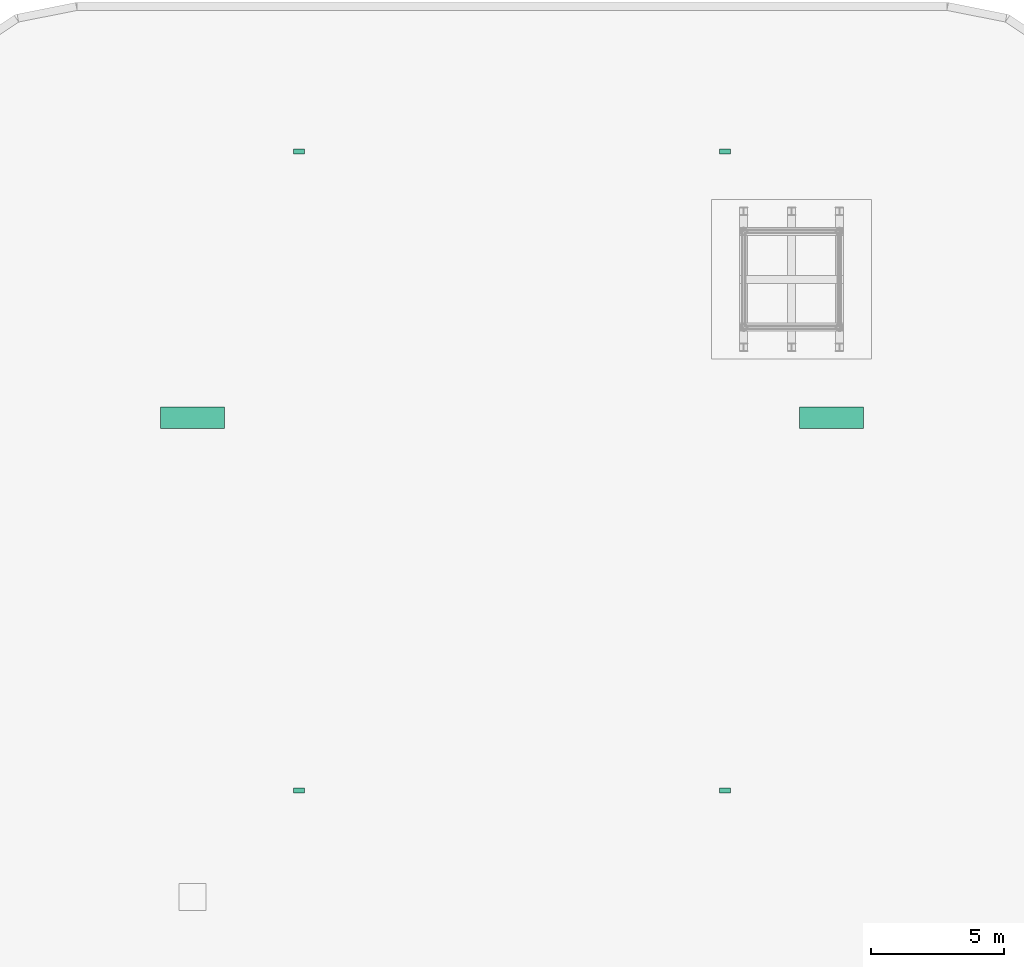
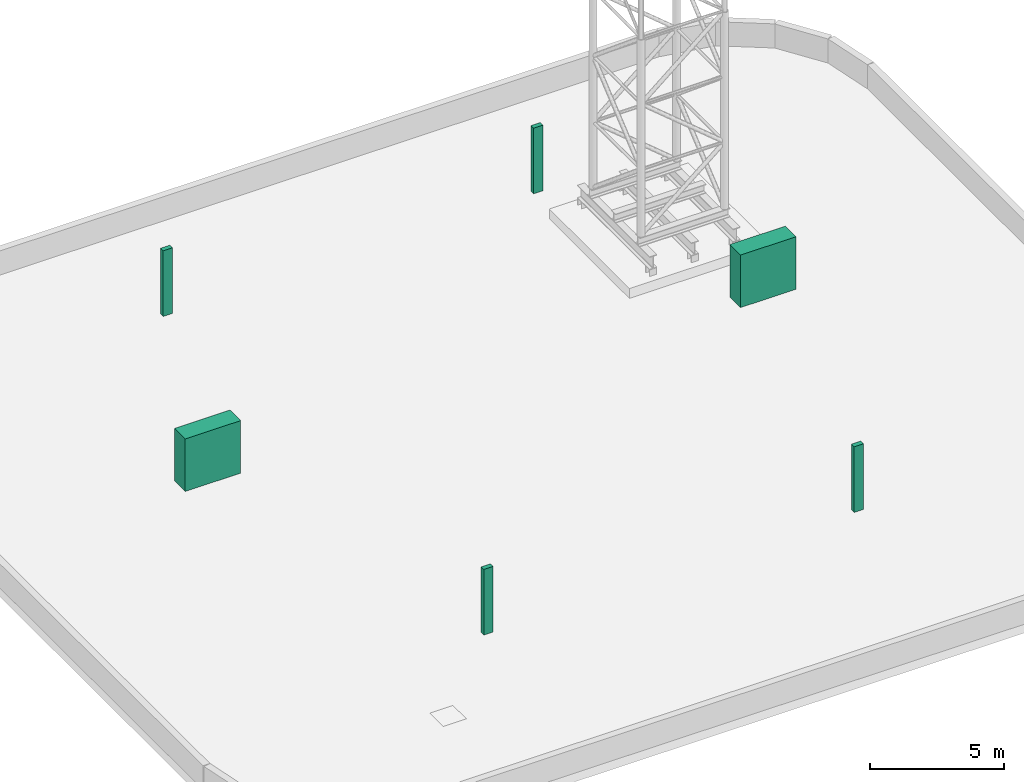
# One storey, part 3 of 3: 6 communications appliances.
"""IFC4 building model written with IfcOpenShell, lengths in metres."""

import ifcopenshell
import ifcopenshell.guid

model = None  # the IFC model being written
_history = None  # IfcOwnerHistory: only IFC2X3 demands one
_inside = {}  # id of a spatial element -> (the spatial element, [elements in it])
_under = {}  # id of a project, library or spatial element -> (it, [spatial elements below it])
_declared = {}  # id of a project -> (the project, [libraries it declares])
_typed = {}  # id of a type object -> (the type object, [elements of that type])
_made_of = {}  # id of a material, layer set ... -> (it, [elements and type objects made of it])


def new_model(schema):
    """Start an empty IFC model of exactly this schema.

    Asked for "IFC4X3", IfcOpenShell would pick the latest addendum, in which some entities
    have other attributes; the version numbers below select the first issue.
    IFC2X3 requires an IfcOwnerHistory on every rooted entity: one is made here for all.
    """
    global model, _history
    if schema == "IFC4X3":
        model = ifcopenshell.file(schema_version=(4, 3, 0, 0))
    else:
        model = ifcopenshell.file(schema=schema)
    _inside.clear()
    _under.clear()
    _declared.clear()
    _typed.clear()
    _made_of.clear()
    _history = None
    if model.schema == "IFC2X3":
        org = make("IfcOrganization", Name="unknown")
        user = make(
            "IfcPersonAndOrganization",
            ThePerson=make("IfcPerson", FamilyName="unknown"),
            TheOrganization=org,
        )
        app = make(
            "IfcApplication",
            ApplicationDeveloper=org,
            Version="unknown",
            ApplicationFullName="unknown",
            ApplicationIdentifier="unknown",
        )
        _history = make(
            "IfcOwnerHistory",
            OwningUser=user,
            OwningApplication=app,
            ChangeAction="ADDED",
            CreationDate=0,
        )
    return model


def make(cls, **values):
    """One entity of the class cls with the attributes given. An attribute that is None is left unset."""
    return model.create_entity(
        cls, **{name: value for name, value in values.items() if value is not None}
    )


def rooted(cls, **values):
    """An entity with a GlobalId (a new one), such as an element, a storey or a relation."""
    return make(cls, GlobalId=ifcopenshell.guid.new(), OwnerHistory=_history, **values)


def si_unit(unit_type, name, prefix=None):
    """IfcSIUnit, for example si_unit("LENGTHUNIT", "METRE", prefix="MILLI")."""
    return make("IfcSIUnit", UnitType=unit_type, Prefix=prefix, Name=name)


def assignment(units):
    """IfcUnitAssignment: the units of a project."""
    return None if units is None else make("IfcUnitAssignment", Units=units)


def point(xyz):
    """IfcCartesianPoint."""
    return None if xyz is None else make("IfcCartesianPoint", Coordinates=xyz)


def direction(xyz):
    """IfcDirection."""
    return None if xyz is None else make("IfcDirection", DirectionRatios=xyz)


def frame(location, z_axis=None, x_axis=None):
    """IfcAxis2Placement3D, a coordinate frame: its origin and axes. An axis left out is left unset."""
    return make(
        "IfcAxis2Placement3D",
        Location=point(location),
        Axis=direction(z_axis),
        RefDirection=direction(x_axis),
    )


def frame_2d(location, x_axis=None):
    """IfcAxis2Placement2D, a coordinate frame in the plane: its origin and x axis."""
    return make(
        "IfcAxis2Placement2D", Location=point(location), RefDirection=direction(x_axis)
    )


def origin():
    """The frame at (0, 0, 0) with its axes left unset."""
    return frame((0.0, 0.0, 0.0))


def origin_2d():
    """The frame at (0, 0) in the plane with its x axis left unset."""
    return frame_2d((0.0, 0.0))


def place(relative_to, where):
    """IfcLocalPlacement: puts the frame where relative to a parent placement (None: the world)."""
    return make(
        "IfcLocalPlacement", PlacementRelTo=relative_to, RelativePlacement=where
    )


def context(
    kind, dimensions, precision=None, world=None, true_north=None, identifier=None
):
    """IfcGeometricRepresentationContext, for example the 3D "Model" context."""
    return make(
        "IfcGeometricRepresentationContext",
        ContextIdentifier=identifier,
        ContextType=kind,
        CoordinateSpaceDimension=dimensions,
        Precision=precision,
        WorldCoordinateSystem=world,
        TrueNorth=true_north,
    )


def subcontext(parent, identifier, kind, view, scale=None):
    """IfcGeometricRepresentationSubContext, for example "Body" below "Model"."""
    return make(
        "IfcGeometricRepresentationSubContext",
        ContextIdentifier=identifier,
        ContextType=kind,
        ParentContext=parent,
        TargetScale=scale,
        TargetView=view,
    )


def project(units=None, contexts=None):
    """IfcProject with its units and contexts."""
    return rooted(
        "IfcProject",
        Name="project",
        RepresentationContexts=contexts,
        UnitsInContext=assignment(units),
    )


def spatial(cls, under=None, at=None, **own):
    """A site, building, storey or space (cls), placed at a placement, below another one or the project."""
    s = rooted(cls, ObjectPlacement=at, **own)
    if under is not None:
        _under.setdefault(under.id(), (under, []))[1].append(s)
    return s


def profile(cls, at=None, kind="AREA", **sizes):
    """A parametric profile (cls). Its sizes go by their IFC names, for example OverallWidth=200.0."""
    return make(cls, ProfileType=kind, Position=at, **sizes)


def rectangle(**sizes):
    """IfcRectangleProfileDef."""
    return profile("IfcRectangleProfileDef", **sizes)


def extrude(swept, where, along, depth):
    """IfcExtrudedAreaSolid: the profile swept, set in the frame where, extruded along a direction by depth."""
    return make(
        "IfcExtrudedAreaSolid",
        SweptArea=swept,
        Position=where,
        ExtrudedDirection=direction(along),
        Depth=depth,
    )


def shape(context_of_items, identifier, shape_type, items):
    """IfcShapeRepresentation: the items that make up one representation, for example the "Body"."""
    return make(
        "IfcShapeRepresentation",
        ContextOfItems=context_of_items,
        RepresentationIdentifier=identifier,
        RepresentationType=shape_type,
        Items=items,
    )


def material(Name=None, Category=None):
    """IfcMaterial."""
    return make("IfcMaterial", Name=Name, Category=Category)


def made_of(thing, what):
    """Note that an element or type object is made of a material, layer set ...; save() writes the relation."""
    if what is not None:
        _made_of.setdefault(what.id(), (what, []))[1].append(thing)
    return thing


def type_object(cls, material=None, **own):
    """A type object (cls), such as IfcWallType, which elements share."""
    return made_of(rooted(cls, **own), material)


def element(
    cls,
    number,
    at=None,
    inside=None,
    cuts=None,
    type_object=None,
    material=None,
    context=None,
    identifier="Body",
    shape_type=None,
    held_by="IfcProductDefinitionShape",
    body=None,
    shapes=None,
    **own,
):
    """One element of the class cls, such as IfcWall. Its Tag is "e" and its number.

    at: its placement. inside: the storey or other place that contains it. cuts: it is an
    opening in that element (IfcRelVoidsElement). A single representation is given by context,
    identifier, shape_type and body (its items); several are given by shapes. held_by: the class
    of the entity that holds the representations. save() writes the other relations.
    """
    e = rooted(cls, Tag="e%d" % number, ObjectPlacement=at, **own)
    if body is not None:
        shapes = [shape(context, identifier, shape_type, body)]
    if shapes is not None:
        e.Representation = make(held_by, Representations=shapes)
    if inside is not None:
        _inside.setdefault(inside.id(), (inside, []))[1].append(e)
    if cuts is not None:
        rooted(
            "IfcRelVoidsElement", RelatingBuildingElement=cuts, RelatedOpeningElement=e
        )
    if type_object is not None:
        _typed.setdefault(type_object.id(), (type_object, []))[1].append(e)
    return made_of(e, material)


def aggregate(whole, parts):
    """IfcRelAggregates: a whole, such as a stair, and the parts it consists of."""
    return rooted("IfcRelAggregates", RelatingObject=whole, RelatedObjects=parts)


def save(model, path):
    """Write the relations noted so far, then the file.

    IfcRelAggregates (storeys below a building ...), IfcRelContainedInSpatialStructure (elements
    in a storey), IfcRelDefinesByType, IfcRelAssociatesMaterial and IfcRelDeclares: one each for
    every whole, place, type object, material and project.
    """
    for whole, parts in _under.values():
        aggregate(whole, parts)
    for where, things in _inside.values():
        rooted(
            "IfcRelContainedInSpatialStructure",
            RelatedElements=things,
            RelatingStructure=where,
        )
    for kind, things in _typed.values():
        rooted("IfcRelDefinesByType", RelatedObjects=things, RelatingType=kind)
    for what, things in _made_of.values():
        rooted("IfcRelAssociatesMaterial", RelatedObjects=things, RelatingMaterial=what)
    for by, libraries in _declared.values():
        rooted("IfcRelDeclares", RelatingContext=by, RelatedDefinitions=libraries)
    model.write(path)


model = new_model("IFC4")

# Units and contexts
model_context = context("Model", 3, precision=1e-05, world=origin(), true_north=direction((0.0, 1.0)))
body_context = subcontext(model_context, "Body", "Model", "MODEL_VIEW")
ifc_project = project(units=[si_unit("LENGTHUNIT", "METRE"), si_unit("AREAUNIT", "SQUARE_METRE"), si_unit("VOLUMEUNIT", "CUBIC_METRE"), si_unit("PLANEANGLEUNIT", "RADIAN"), si_unit("MASSUNIT", "GRAM", prefix="KILO")], contexts=[model_context])

# Site, building, storey
site_placement = place(None, origin())
site = spatial("IfcSite", under=ifc_project, at=site_placement, CompositionType="ELEMENT")
building_placement = place(site_placement, origin())
building = spatial("IfcBuilding", under=site, at=building_placement, Name="Mopane Tessera Tower", CompositionType="ELEMENT")
storey_placement = place(building_placement, frame((0.0, 0.0, 361.89990234375)))
storey = spatial("IfcBuildingStorey", under=building, at=storey_placement, Name="Roof", CompositionType="ELEMENT", Elevation=361.89990234375)

# Communications appliances
ifc_material_1 = material(Name="Fibreglass radome", Category="glass")
communications_appliance_type_1 = type_object("IfcCommunicationsApplianceType", Name="Dish antenna 2400 x 800 x 2400", PredefinedType="ANTENNA", material=ifc_material_1)
for number, where, z_axis, x_axis, name in (
    (1, (-12.0, 4.0, 0.000244140625), (0.0, 0.0, 1.0), (1.0, 0.0, 0.0), "Dish antenna 3"),
    (2, (12.0, 4.0, 0.000244140625), (0.0, 0.0, 1.0), (1.0, 0.0, 0.0), "Dish antenna 4"),
):
    element("IfcCommunicationsAppliance", number, at=place(storey_placement, frame(where, z_axis=z_axis, x_axis=x_axis)), inside=storey, type_object=communications_appliance_type_1, Name=name, PredefinedType="ANTENNA", context=body_context, shape_type="SweptSolid", body=[
        extrude(rectangle(XDim=2.39990234375, YDim=0.800048828125, at=origin_2d()), origin(), (0.0, 0.0, 1.0), 2.39990234375),
    ])
ifc_material_2 = material(Name="Fibreglass radome", Category="glass")
communications_appliance_type_2 = type_object("IfcCommunicationsApplianceType", Name="Panel antenna 400 x 200 x 3000", PredefinedType="ANTENNA", material=ifc_material_2)
for number, where, z_axis, x_axis, name in (
    (3, (-8.0, -10.0, 0.0), (0.0, 0.0, 1.0), (1.0, 0.0, 0.0), "Panel antenna 1"),
    (4, (8.0, -10.0, 0.0), (0.0, 0.0, 1.0), (1.0, 0.0, 0.0), "Panel antenna 2"),
    (5, (-8.0, 14.0, 0.0), (0.0, 0.0, 1.0), (1.0, 0.0, 0.0), "Panel antenna 5"),
    (6, (8.0, 14.0, 0.0), (0.0, 0.0, 1.0), (1.0, 0.0, 0.0), "Panel antenna 6"),
):
    element("IfcCommunicationsAppliance", number, at=place(storey_placement, frame(where, z_axis=z_axis, x_axis=x_axis)), inside=storey, type_object=communications_appliance_type_2, Name=name, PredefinedType="ANTENNA", context=body_context, shape_type="SweptSolid", body=[
        extrude(rectangle(XDim=0.39990234375, YDim=0.199951171875, at=origin_2d()), origin(), (0.0, 0.0, 1.0), 3.0),
    ])

save(model, "model.ifc")
